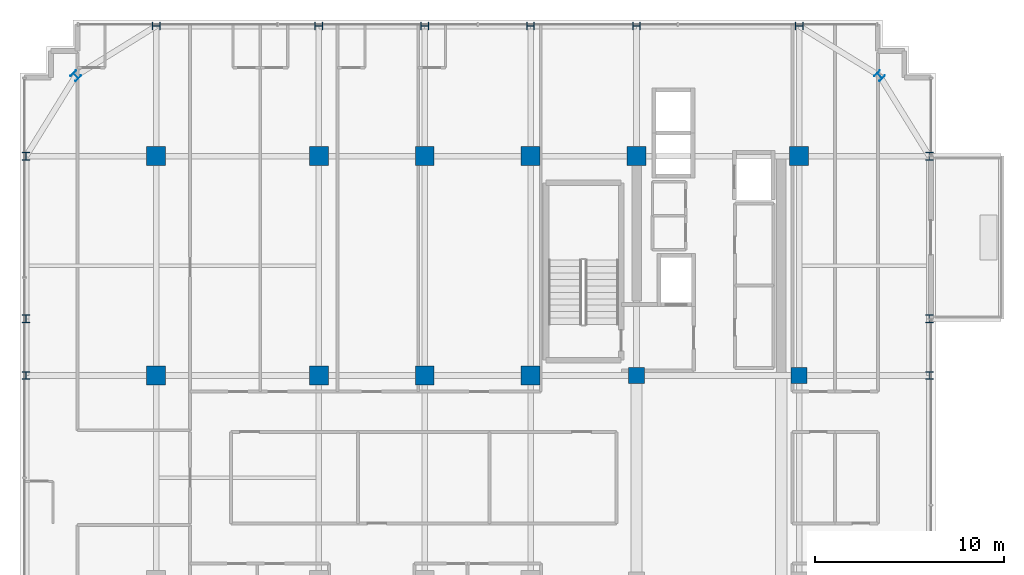
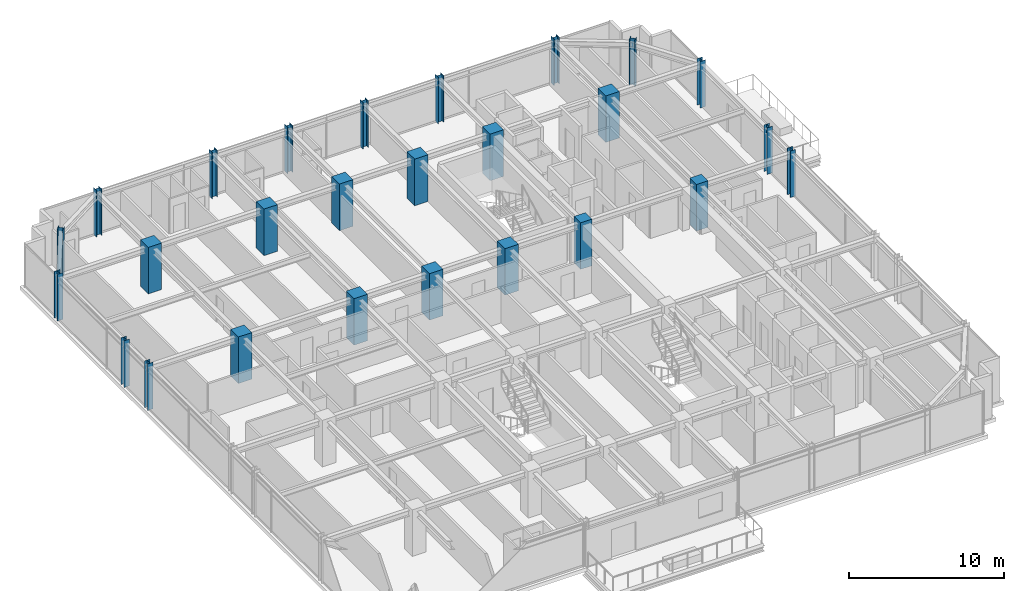
# One storey, part 2 of 34: 26 columns.
"""IFC4 building model written with IfcOpenShell, lengths in metres."""

from ifc_helpers import new_model, si_unit, direction, frame, origin, origin_2d, place, context, subcontext, project, spatial, rectangle, i_section, extrude, source, transform, mapped, material, material_profile, profile_set, type_object, element, save


model = new_model("IFC4")

# Units and contexts
model_context = context("Model", 3, precision=1e-05, world=origin(), true_north=direction((0.0, 1.0)))
body_context = subcontext(model_context, "Body", "Model", "MODEL_VIEW")
ifc_project = project(units=[si_unit("LENGTHUNIT", "METRE"), si_unit("AREAUNIT", "SQUARE_METRE"), si_unit("VOLUMEUNIT", "CUBIC_METRE"), si_unit("PLANEANGLEUNIT", "RADIAN"), si_unit("MASSUNIT", "GRAM", prefix="KILO")], contexts=[model_context])

# Site, building, storey
site_placement = place(None, origin())
site = spatial("IfcSite", under=ifc_project, at=site_placement, CompositionType="ELEMENT")
building_placement = place(site_placement, origin())
building = spatial("IfcBuilding", under=site, at=building_placement, Name="Nahalor Promenade Grand Hotel", CompositionType="ELEMENT")
storey_placement = place(building_placement, frame((0.0, 0.0, 208.60009765625)))
storey = spatial("IfcBuildingStorey", under=building, at=storey_placement, Name="L53", CompositionType="ELEMENT", Elevation=208.60009765625)

# Columns
ifc_material_1 = material(Name="Concrete B-60 (C50/60)", Category="concrete")
ifc_material_profile_1 = material_profile(ifc_material_1, rectangle(XDim=1.0, YDim=1.0, at=origin_2d()), Name="RC 1000x1000")
ifc_profile_set_1 = profile_set([ifc_material_profile_1], Name="Concrete B-60 (C50/60)")
column_type_1 = type_object("IfcColumnType", Name="Col-RC-1000", PredefinedType="COLUMN", material=ifc_profile_set_1)
shared_shape_1 = source(origin(), body_context, "Body", "SweptSolid", [
    extrude(rectangle(XDim=1.0, YDim=1.0, at=origin_2d()), origin(), (0.0, 0.0, 1.0), 3.65478515625),
])
for number, where, z_axis, x_axis, name in (
    (1, (-17.0, 5.39990234375, 0.0), (0.0, 0.0, 1.0), (1.0, 0.0, 0.0), "COL-L53-I02"),
    (2, (-17.0, 17.0, 0.0), (0.0, 0.0, 1.0), (1.0, 0.0, 0.0), "COL-L53-I03"),
    (3, (-8.39990234375, 5.39990234375, 0.0), (0.0, 0.0, 1.0), (1.0, 0.0, 0.0), "COL-L53-I12"),
    (4, (-8.39990234375, 17.0, 0.0), (0.0, 0.0, 1.0), (1.0, 0.0, 0.0), "COL-L53-I13"),
    (5, (-2.800048828125, 5.39990234375, 0.0), (0.0, 0.0, 1.0), (1.0, 0.0, 0.0), "COL-L53-I22"),
    (6, (-2.800048828125, 17.0, 0.0), (0.0, 0.0, 1.0), (1.0, 0.0, 0.0), "COL-L53-I23"),
    (7, (2.800048828125, 5.39990234375, 0.0), (0.0, 0.0, 1.0), (1.0, 0.0, 0.0), "COL-L53-I32"),
    (8, (2.800048828125, 17.0, 0.0), (0.0, 0.0, 1.0), (1.0, 0.0, 0.0), "COL-L53-I33"),
    (9, (8.39990234375, 17.0, 0.0), (0.0, 0.0, 1.0), (1.0, 0.0, 0.0), "COL-L53-I43"),
    (10, (17.0, 17.0, 0.0), (0.0, 0.0, 1.0), (1.0, 0.0, 0.0), "COL-L53-I53"),
):
    element("IfcColumn", number, at=place(storey_placement, frame(where, z_axis=z_axis, x_axis=x_axis)), inside=storey, type_object=column_type_1, Name=name, PredefinedType="COLUMN", context=body_context, shape_type="MappedRepresentation", body=[
        mapped(shared_shape_1, transform((0.0, 0.0, 0.0), scale=1.0)),
    ])
ifc_material_2 = material(Name="Concrete B-70 (C60/75)", Category="concrete")
ifc_material_profile_2 = material_profile(ifc_material_2, rectangle(XDim=0.85, YDim=0.85, at=origin_2d()), Name="RC 850x850")
ifc_profile_set_2 = profile_set([ifc_material_profile_2], Name="Concrete B-70 (C60/75)")
column_type_2 = type_object("IfcColumnType", Name="Col-Pilaster-850", PredefinedType="PILASTER", material=ifc_profile_set_2)
shared_shape_2 = source(origin(), body_context, "Body", "SweptSolid", [
    extrude(rectangle(XDim=0.85, YDim=0.85, at=origin_2d()), origin(), (0.0, 0.0, 1.0), 3.65478515625),
])
for number, where, z_axis, x_axis, name in (
    (11, (8.39990234375, 5.39990234375, 0.0), (0.0, 0.0, 1.0), (1.0, 0.0, 0.0), "COL-L53-I42"),
    (12, (17.0, 5.39990234375, 0.0), (0.0, 0.0, 1.0), (1.0, 0.0, 0.0), "COL-L53-I52"),
):
    element("IfcColumn", number, at=place(storey_placement, frame(where, z_axis=z_axis, x_axis=x_axis)), inside=storey, type_object=column_type_2, Name=name, PredefinedType="PILASTER", context=body_context, shape_type="MappedRepresentation", body=[
        mapped(shared_shape_2, transform((0.0, 0.0, 0.0), scale=1.0)),
    ])
ifc_material_3 = material(Name="Steel S355JR", Category="steel")
ifc_material_profile_3 = material_profile(ifc_material_3, i_section(OverallWidth=0.401, OverallDepth=0.406, WebThickness=0.0161, FlangeThickness=0.025, at=origin_2d()), Name="HD 400x314")
ifc_profile_set_3 = profile_set([ifc_material_profile_3], Name="Steel S355JR")
column_type_3 = type_object("IfcColumnType", Name="Col-Steel-HD314", PredefinedType="COLUMN", material=ifc_profile_set_3)
shared_shape_3 = source(origin(), body_context, "Body", "SweptSolid", [
    extrude(i_section(OverallWidth=0.401, OverallDepth=0.406, WebThickness=0.0161, FlangeThickness=0.025, at=origin_2d()), origin(), (0.0, 0.0, 1.0), 3.65478515625),
])
for number, where, z_axis, x_axis, name in (
    (13, (-23.8798828125, 5.39990234375, 0.0), (0.0, 0.0, 1.0), (1.0, 0.0, 0.0), "COL-L53-PW-W3"),
    (14, (23.8798828125, 5.39990234375, 0.0), (0.0, 0.0, 1.0), (1.0, 0.0, 0.0), "COL-L53-PW-E3"),
    (15, (-23.8798828125, 8.39990234375, 0.0), (0.0, 0.0, 1.0), (1.0, 0.0, 0.0), "COL-L53-PW-W4"),
    (16, (23.8798828125, 8.39990234375, 0.0), (0.0, 0.0, 1.0), (1.0, 0.0, 0.0), "COL-L53-PW-E4"),
    (17, (-23.8798828125, 17.0, 0.0), (0.0, 0.0, 1.0), (1.0, 0.0, 0.0), "COL-L53-PW-W5"),
    (18, (23.8798828125, 17.0, 0.0), (0.0, 0.0, 1.0), (1.0, 0.0, 0.0), "COL-L53-PW-E5"),
    (19, (-17.0, 23.8798828125, 0.0), (0.0, 0.0, 1.0), (0.0, 1.0, 0.0), "COL-L53-PN-N0"),
    (20, (-8.39990234375, 23.8798828125, 0.0), (0.0, 0.0, 1.0), (0.0, 1.0, 0.0), "COL-L53-PN-N1"),
    (21, (-2.800048828125, 23.8798828125, 0.0), (0.0, 0.0, 1.0), (0.0, 1.0, 0.0), "COL-L53-PN-N2"),
    (22, (2.800048828125, 23.8798828125, 0.0), (0.0, 0.0, 1.0), (0.0, 1.0, 0.0), "COL-L53-PN-N3"),
    (23, (8.39990234375, 23.8798828125, 0.0), (0.0, 0.0, 1.0), (0.0, 1.0, 0.0), "COL-L53-PN-N4"),
    (24, (17.0, 23.8798828125, 0.0), (0.0, 0.0, 1.0), (0.0, 1.0, 0.0), "COL-L53-PN-N5"),
    (25, (-21.25, 21.25, 0.0), (0.0, 0.0, 1.0), (0.707106781187, 0.707106781187, 0.0), "COL-L53-CRN-NW"),
    (26, (21.25, 21.25, 0.0), (0.0, 0.0, 1.0), (0.707106781187, 0.707106781187, 0.0), "COL-L53-CRN-NE"),
):
    element("IfcColumn", number, at=place(storey_placement, frame(where, z_axis=z_axis, x_axis=x_axis)), inside=storey, type_object=column_type_3, Name=name, PredefinedType="COLUMN", context=body_context, shape_type="MappedRepresentation", body=[
        mapped(shared_shape_3, transform((0.0, 0.0, 0.0), scale=1.0)),
    ])

save(model, "model.ifc")
